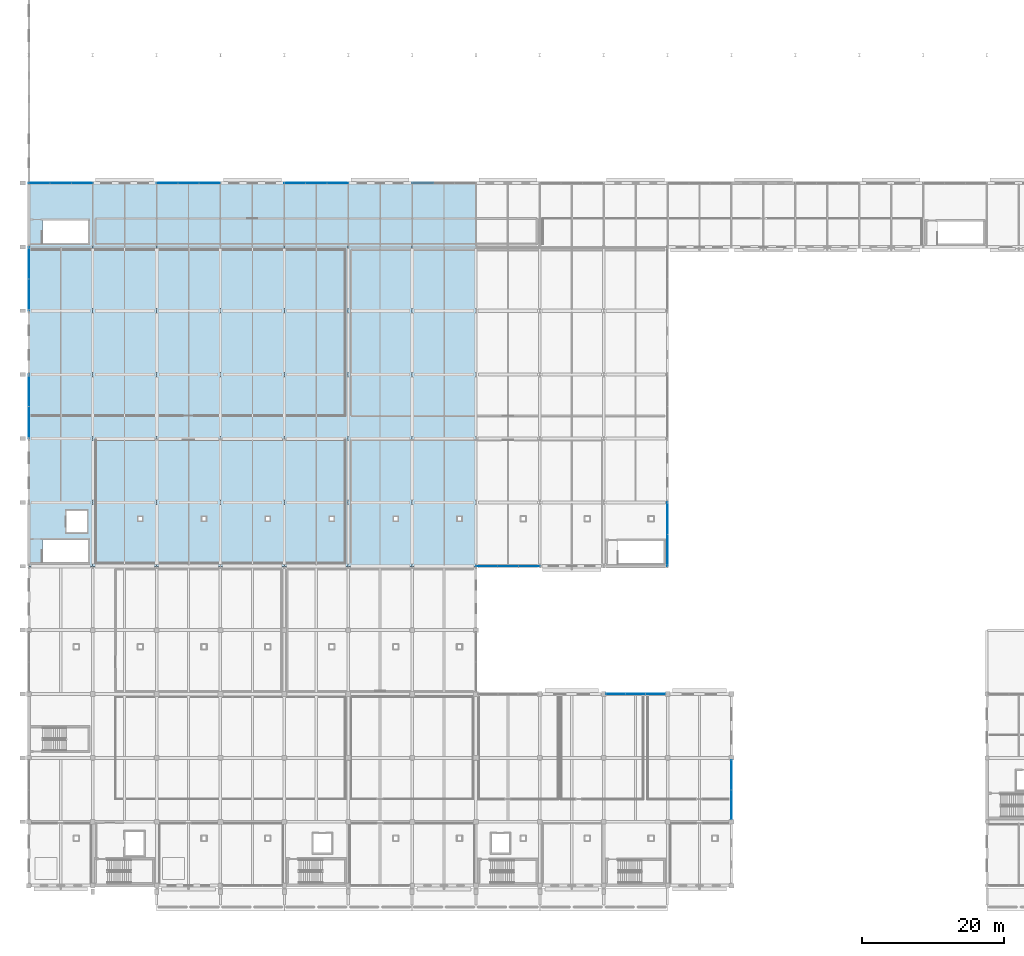
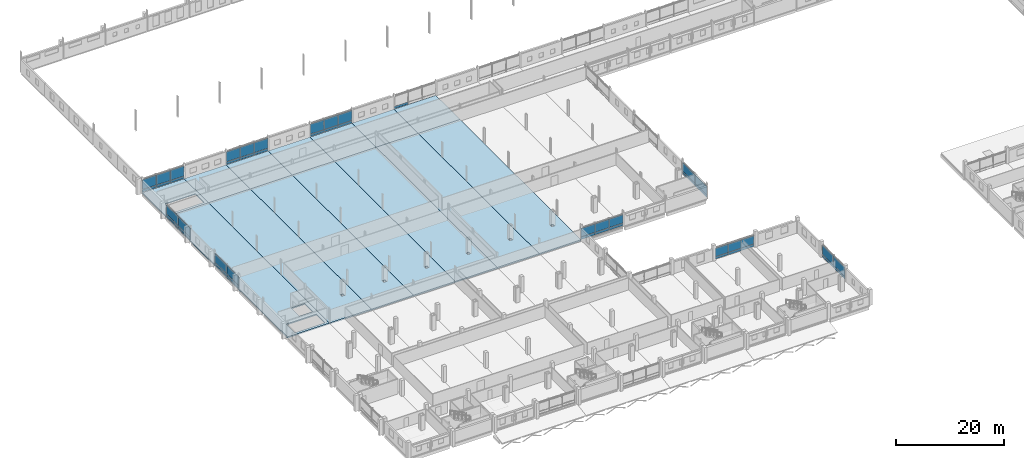
# One storey, part 93 of 132: 47 plates, 14 slabs, 10 elements without a shape of their own.
"""IFC4 building model written with IfcOpenShell, lengths in metres."""

from ifc_helpers import new_model, si_unit, direction, frame, origin, origin_2d, place, context, subcontext, project, spatial, polyline, rectangle, outline, extrude, material, layer, layer_set, type_object, element, aggregate, save


model = new_model("IFC4")

# Units and contexts
model_context = context("Model", 3, precision=1e-05, world=origin(), true_north=direction((0.0, 1.0)))
body_context = subcontext(model_context, "Body", "Model", "MODEL_VIEW")
ifc_project = project(units=[si_unit("LENGTHUNIT", "METRE"), si_unit("AREAUNIT", "SQUARE_METRE"), si_unit("VOLUMEUNIT", "CUBIC_METRE"), si_unit("PLANEANGLEUNIT", "RADIAN"), si_unit("MASSUNIT", "GRAM", prefix="KILO")], contexts=[model_context])

# Site, building, storey
site_placement = place(None, origin())
site = spatial("IfcSite", under=ifc_project, at=site_placement, CompositionType="ELEMENT")
building_placement = place(site_placement, origin())
building = spatial("IfcBuilding", under=site, at=building_placement, Name="Tharagai Park Tramway Depot", CompositionType="ELEMENT")
storey_placement = place(building_placement, frame((0.0, 0.0, 4.800048828125)))
storey = spatial("IfcBuildingStorey", under=building, at=storey_placement, Name="L01", CompositionType="ELEMENT", Elevation=4.800048828125)

# Curtain wall, plates
ifc_material_1 = material(Name="Anodised aluminium", Category="aluminium")
curtain_wall_type_1 = type_object("IfcCurtainWallType", Name="CW-01", PredefinedType="NOTDEFINED", material=ifc_material_1)
curtain_wall_1_placement = place(storey_placement, origin())
curtain_wall_1 = element("IfcCurtainWall", 1, at=curtain_wall_1_placement, inside=storey, type_object=curtain_wall_type_1, Name="L01 V4 Gothic Mullioned Curtain Wall CW-01", PredefinedType="NOTDEFINED")
ifc_layer_1 = layer(ifc_material_1, 0.0400390625)
ifc_layer_set_1 = layer_set([ifc_layer_1], Name="Anodised aluminium")
plate_type_1 = type_object("IfcPlateType", Name="CP-01", PredefinedType="CURTAIN_PANEL", material=ifc_layer_set_1)
plate_1_placement = place(storey_placement, frame((82.7099609375, 27.0, 0.080078125), z_axis=(0.0, 0.0, 1.0), x_axis=(1.0, 0.0, 0.0)))
plate_1 = element("IfcPlate", 2, at=plate_1_placement, type_object=plate_type_1, Name="L01 V4 Gothic Mullioned Curtain Wall Spandrel Panel 1.1", PredefinedType="CURTAIN_PANEL", context=body_context, shape_type="SweptSolid", body=[
    extrude(rectangle(XDim=2.77001953125, YDim=0.0400390625, at=origin_2d()), origin(), (0.0, 0.0, 1.0), 0.550048828125),
])
plate_2_placement = place(storey_placement, frame((85.5, 27.0, 0.080078125), z_axis=(0.0, 0.0, 1.0), x_axis=(1.0, 0.0, 0.0)))
plate_2 = element("IfcPlate", 3, at=plate_2_placement, type_object=plate_type_1, Name="L01 V4 Gothic Mullioned Curtain Wall Spandrel Panel 2.1", PredefinedType="CURTAIN_PANEL", context=body_context, shape_type="SweptSolid", body=[
    extrude(rectangle(XDim=2.77001953125, YDim=0.0400390625, at=origin_2d()), origin(), (0.0, 0.0, 1.0), 0.550048828125),
])
plate_3_placement = place(storey_placement, frame((88.2900390625, 27.0, 0.080078125), z_axis=(0.0, 0.0, 1.0), x_axis=(1.0, 0.0, 0.0)))
plate_3 = element("IfcPlate", 4, at=plate_3_placement, type_object=plate_type_1, Name="L01 V4 Gothic Mullioned Curtain Wall Spandrel Panel 3.1", PredefinedType="CURTAIN_PANEL", context=body_context, shape_type="SweptSolid", body=[
    extrude(rectangle(XDim=2.77001953125, YDim=0.0400390625, at=origin_2d()), origin(), (0.0, 0.0, 1.0), 0.550048828125),
])

curtain_wall_2_placement = place(storey_placement, origin())
curtain_wall_2 = element("IfcCurtainWall", 5, at=curtain_wall_2_placement, inside=storey, type_object=curtain_wall_type_1, Name="L01 V2 Gothic Mullioned Curtain Wall CW-01", PredefinedType="NOTDEFINED")
plate_4_placement = place(storey_placement, frame((64.497314453125, 45.0, 0.080078125), z_axis=(0.0, 0.0, 1.0), x_axis=(1.0, 0.0, 0.0)))
plate_4 = element("IfcPlate", 6, at=plate_4_placement, type_object=plate_type_1, Name="L01 V2 Gothic Mullioned Curtain Wall Spandrel Panel 1.1", PredefinedType="CURTAIN_PANEL", context=body_context, shape_type="SweptSolid", body=[
    extrude(rectangle(XDim=2.982666015625, YDim=0.0400390625, at=origin_2d()), origin(), (0.0, 0.0, 1.0), 0.550048828125),
])
plate_5_placement = place(storey_placement, frame((67.5, 45.0, 0.080078125), z_axis=(0.0, 0.0, 1.0), x_axis=(1.0, 0.0, 0.0)))
plate_5 = element("IfcPlate", 7, at=plate_5_placement, type_object=plate_type_1, Name="L01 V2 Gothic Mullioned Curtain Wall Spandrel Panel 2.1", PredefinedType="CURTAIN_PANEL", context=body_context, shape_type="SweptSolid", body=[
    extrude(rectangle(XDim=2.982666015625, YDim=0.0400390625, at=origin_2d()), origin(), (0.0, 0.0, 1.0), 0.550048828125),
])
plate_6_placement = place(storey_placement, frame((70.502685546875, 45.0, 0.080078125), z_axis=(0.0, 0.0, 1.0), x_axis=(1.0, 0.0, 0.0)))
plate_6 = element("IfcPlate", 8, at=plate_6_placement, type_object=plate_type_1, Name="L01 V2 Gothic Mullioned Curtain Wall Spandrel Panel 3.1", PredefinedType="CURTAIN_PANEL", context=body_context, shape_type="SweptSolid", body=[
    extrude(rectangle(XDim=2.982666015625, YDim=0.0400390625, at=origin_2d()), origin(), (0.0, 0.0, 1.0), 0.550048828125),
])

curtain_wall_3_placement = place(storey_placement, origin())
curtain_wall_3 = element("IfcCurtainWall", 9, at=curtain_wall_3_placement, inside=storey, type_object=curtain_wall_type_1, Name="L01 V1 Gothic Mullioned Curtain Wall CW-01", PredefinedType="NOTDEFINED")
plate_7_placement = place(storey_placement, frame((1.497314453125, 99.0, 0.080078125), z_axis=(0.0, 0.0, 1.0), x_axis=(1.0, 0.0, 0.0)))
plate_7 = element("IfcPlate", 10, at=plate_7_placement, type_object=plate_type_1, Name="L01 V1 Gothic Mullioned Curtain Wall Spandrel Panel 1.1", PredefinedType="CURTAIN_PANEL", context=body_context, shape_type="SweptSolid", body=[
    extrude(rectangle(XDim=2.982666015625, YDim=0.0400390625, at=origin_2d()), origin(), (0.0, 0.0, 1.0), 0.550048828125),
])
plate_8_placement = place(storey_placement, frame((4.5, 99.0, 0.080078125), z_axis=(0.0, 0.0, 1.0), x_axis=(1.0, 0.0, 0.0)))
plate_8 = element("IfcPlate", 11, at=plate_8_placement, type_object=plate_type_1, Name="L01 V1 Gothic Mullioned Curtain Wall Spandrel Panel 2.1", PredefinedType="CURTAIN_PANEL", context=body_context, shape_type="SweptSolid", body=[
    extrude(rectangle(XDim=2.982666015625, YDim=0.0400390625, at=origin_2d()), origin(), (0.0, 0.0, 1.0), 0.550048828125),
])
plate_9_placement = place(storey_placement, frame((7.502685546875, 99.0, 0.080078125), z_axis=(0.0, 0.0, 1.0), x_axis=(1.0, 0.0, 0.0)))
plate_9 = element("IfcPlate", 12, at=plate_9_placement, type_object=plate_type_1, Name="L01 V1 Gothic Mullioned Curtain Wall Spandrel Panel 3.1", PredefinedType="CURTAIN_PANEL", context=body_context, shape_type="SweptSolid", body=[
    extrude(rectangle(XDim=2.982666015625, YDim=0.0400390625, at=origin_2d()), origin(), (0.0, 0.0, 1.0), 0.550048828125),
])

curtain_wall_4_placement = place(storey_placement, origin())
curtain_wall_4 = element("IfcCurtainWall", 13, at=curtain_wall_4_placement, inside=storey, type_object=curtain_wall_type_1, Name="L01 V1 Gothic Mullioned Curtain Wall CW-01", PredefinedType="NOTDEFINED")
plate_10_placement = place(storey_placement, frame((19.497314453125, 99.0, 0.080078125), z_axis=(0.0, 0.0, 1.0), x_axis=(1.0, 0.0, 0.0)))
plate_10 = element("IfcPlate", 14, at=plate_10_placement, type_object=plate_type_1, Name="L01 V1 Gothic Mullioned Curtain Wall Spandrel Panel 1.1", PredefinedType="CURTAIN_PANEL", context=body_context, shape_type="SweptSolid", body=[
    extrude(rectangle(XDim=2.982666015625, YDim=0.0400390625, at=origin_2d()), origin(), (0.0, 0.0, 1.0), 0.550048828125),
])
plate_11_placement = place(storey_placement, frame((22.5, 99.0, 0.080078125), z_axis=(0.0, 0.0, 1.0), x_axis=(1.0, 0.0, 0.0)))
plate_11 = element("IfcPlate", 15, at=plate_11_placement, type_object=plate_type_1, Name="L01 V1 Gothic Mullioned Curtain Wall Spandrel Panel 2.1", PredefinedType="CURTAIN_PANEL", context=body_context, shape_type="SweptSolid", body=[
    extrude(rectangle(XDim=2.982666015625, YDim=0.0400390625, at=origin_2d()), origin(), (0.0, 0.0, 1.0), 0.550048828125),
])
plate_12_placement = place(storey_placement, frame((25.502685546875, 99.0, 0.080078125), z_axis=(0.0, 0.0, 1.0), x_axis=(1.0, 0.0, 0.0)))
plate_12 = element("IfcPlate", 16, at=plate_12_placement, type_object=plate_type_1, Name="L01 V1 Gothic Mullioned Curtain Wall Spandrel Panel 3.1", PredefinedType="CURTAIN_PANEL", context=body_context, shape_type="SweptSolid", body=[
    extrude(rectangle(XDim=2.982666015625, YDim=0.0400390625, at=origin_2d()), origin(), (0.0, 0.0, 1.0), 0.550048828125),
])

curtain_wall_5_placement = place(storey_placement, origin())
curtain_wall_5 = element("IfcCurtainWall", 17, at=curtain_wall_5_placement, inside=storey, type_object=curtain_wall_type_1, Name="L01 V1 Gothic Mullioned Curtain Wall CW-01", PredefinedType="NOTDEFINED")
plate_13_placement = place(storey_placement, frame((37.497314453125, 99.0, 0.080078125), z_axis=(0.0, 0.0, 1.0), x_axis=(1.0, 0.0, 0.0)))
plate_13 = element("IfcPlate", 18, at=plate_13_placement, type_object=plate_type_1, Name="L01 V1 Gothic Mullioned Curtain Wall Spandrel Panel 1.1", PredefinedType="CURTAIN_PANEL", context=body_context, shape_type="SweptSolid", body=[
    extrude(rectangle(XDim=2.982666015625, YDim=0.0400390625, at=origin_2d()), origin(), (0.0, 0.0, 1.0), 0.550048828125),
])
plate_14_placement = place(storey_placement, frame((40.5, 99.0, 0.080078125), z_axis=(0.0, 0.0, 1.0), x_axis=(1.0, 0.0, 0.0)))
plate_14 = element("IfcPlate", 19, at=plate_14_placement, type_object=plate_type_1, Name="L01 V1 Gothic Mullioned Curtain Wall Spandrel Panel 2.1", PredefinedType="CURTAIN_PANEL", context=body_context, shape_type="SweptSolid", body=[
    extrude(rectangle(XDim=2.982666015625, YDim=0.0400390625, at=origin_2d()), origin(), (0.0, 0.0, 1.0), 0.550048828125),
])
plate_15_placement = place(storey_placement, frame((43.502685546875, 99.0, 0.080078125), z_axis=(0.0, 0.0, 1.0), x_axis=(1.0, 0.0, 0.0)))
plate_15 = element("IfcPlate", 20, at=plate_15_placement, type_object=plate_type_1, Name="L01 V1 Gothic Mullioned Curtain Wall Spandrel Panel 3.1", PredefinedType="CURTAIN_PANEL", context=body_context, shape_type="SweptSolid", body=[
    extrude(rectangle(XDim=2.982666015625, YDim=0.0400390625, at=origin_2d()), origin(), (0.0, 0.0, 1.0), 0.550048828125),
])

# Curtain wall, plate
curtain_wall_6_placement = place(storey_placement, origin())
curtain_wall_6 = element("IfcCurtainWall", 21, at=curtain_wall_6_placement, inside=storey, type_object=curtain_wall_type_1, Name="L01 V1 Gothic Mullioned Curtain Wall CW-01", PredefinedType="NOTDEFINED")
plate_16_placement = place(storey_placement, frame((55.497314453125, 99.0, 0.080078125), z_axis=(0.0, 0.0, 1.0), x_axis=(1.0, 0.0, 0.0)))
plate_16 = element("IfcPlate", 22, at=plate_16_placement, type_object=plate_type_1, Name="L01 V1 Gothic Mullioned Curtain Wall Spandrel Panel 1.1", PredefinedType="CURTAIN_PANEL", context=body_context, shape_type="SweptSolid", body=[
    extrude(rectangle(XDim=2.982666015625, YDim=0.0400390625, at=origin_2d()), origin(), (0.0, 0.0, 1.0), 0.550048828125),
])
aggregate(curtain_wall_6, [plate_16])

# Curtain wall, plates
curtain_wall_type_2 = type_object("IfcCurtainWallType", Name="CW-07", PredefinedType="NOTDEFINED", material=ifc_material_1)
curtain_wall_7_placement = place(storey_placement, origin())
curtain_wall_7 = element("IfcCurtainWall", 23, at=curtain_wall_7_placement, inside=storey, type_object=curtain_wall_type_2, Name="L01 V2 Side Mullioned Curtain Wall CW-07", PredefinedType="NOTDEFINED")
plate_17_placement = place(storey_placement, frame((0.0, 65.248046875, 0.080078125), z_axis=(0.0, 0.0, 1.0), x_axis=(0.0, 1.0, 0.0)))
plate_17 = element("IfcPlate", 24, at=plate_17_placement, type_object=plate_type_1, Name="L01 V2 Side Mullioned Curtain Wall Spandrel Panel 1.1", PredefinedType="CURTAIN_PANEL", context=body_context, shape_type="SweptSolid", body=[
    extrude(rectangle(XDim=4.48388671875, YDim=0.0400390625, at=origin_2d()), origin(), (0.0, 0.0, 1.0), 0.550048828125),
])
plate_18_placement = place(storey_placement, frame((0.0, 69.751953125, 0.080078125), z_axis=(0.0, 0.0, 1.0), x_axis=(0.0, 1.0, 0.0)))
plate_18 = element("IfcPlate", 25, at=plate_18_placement, type_object=plate_type_1, Name="L01 V2 Side Mullioned Curtain Wall Spandrel Panel 2.1", PredefinedType="CURTAIN_PANEL", context=body_context, shape_type="SweptSolid", body=[
    extrude(rectangle(XDim=4.48388671875, YDim=0.0400390625, at=origin_2d()), origin(), (0.0, 0.0, 1.0), 0.550048828125),
])

curtain_wall_8_placement = place(storey_placement, origin())
curtain_wall_8 = element("IfcCurtainWall", 26, at=curtain_wall_8_placement, inside=storey, type_object=curtain_wall_type_2, Name="L01 V2 Side Mullioned Curtain Wall CW-07", PredefinedType="NOTDEFINED")
plate_19_placement = place(storey_placement, frame((0.0, 83.248046875, 0.080078125), z_axis=(0.0, 0.0, 1.0), x_axis=(0.0, 1.0, 0.0)))
plate_19 = element("IfcPlate", 27, at=plate_19_placement, type_object=plate_type_1, Name="L01 V2 Side Mullioned Curtain Wall Spandrel Panel 1.1", PredefinedType="CURTAIN_PANEL", context=body_context, shape_type="SweptSolid", body=[
    extrude(rectangle(XDim=4.48388671875, YDim=0.0400390625, at=origin_2d()), origin(), (0.0, 0.0, 1.0), 0.550048828125),
])
plate_20_placement = place(storey_placement, frame((0.0, 87.751953125, 0.080078125), z_axis=(0.0, 0.0, 1.0), x_axis=(0.0, 1.0, 0.0)))
plate_20 = element("IfcPlate", 28, at=plate_20_placement, type_object=plate_type_1, Name="L01 V2 Side Mullioned Curtain Wall Spandrel Panel 2.1", PredefinedType="CURTAIN_PANEL", context=body_context, shape_type="SweptSolid", body=[
    extrude(rectangle(XDim=4.48388671875, YDim=0.0400390625, at=origin_2d()), origin(), (0.0, 0.0, 1.0), 0.550048828125),
])

curtain_wall_9_placement = place(storey_placement, origin())
curtain_wall_9 = element("IfcCurtainWall", 29, at=curtain_wall_9_placement, inside=storey, type_object=curtain_wall_type_2, Name="L01 V2 Side Mullioned Curtain Wall CW-07", PredefinedType="NOTDEFINED")
plate_21_placement = place(storey_placement, frame((90.0, 47.248046875, 0.080078125), z_axis=(0.0, 0.0, 1.0), x_axis=(0.0, 1.0, 0.0)))
plate_21 = element("IfcPlate", 30, at=plate_21_placement, type_object=plate_type_1, Name="L01 V2 Side Mullioned Curtain Wall Spandrel Panel 1.1", PredefinedType="CURTAIN_PANEL", context=body_context, shape_type="SweptSolid", body=[
    extrude(rectangle(XDim=4.48388671875, YDim=0.0400390625, at=origin_2d()), origin(), (0.0, 0.0, 1.0), 0.550048828125),
])
plate_22_placement = place(storey_placement, frame((90.0, 51.751953125, 0.080078125), z_axis=(0.0, 0.0, 1.0), x_axis=(0.0, 1.0, 0.0)))
plate_22 = element("IfcPlate", 31, at=plate_22_placement, type_object=plate_type_1, Name="L01 V2 Side Mullioned Curtain Wall Spandrel Panel 2.1", PredefinedType="CURTAIN_PANEL", context=body_context, shape_type="SweptSolid", body=[
    extrude(rectangle(XDim=4.48388671875, YDim=0.0400390625, at=origin_2d()), origin(), (0.0, 0.0, 1.0), 0.550048828125),
])

curtain_wall_10_placement = place(storey_placement, origin())
curtain_wall_10 = element("IfcCurtainWall", 32, at=curtain_wall_10_placement, inside=storey, type_object=curtain_wall_type_2, Name="L01 V4 Side Mullioned Curtain Wall CW-07", PredefinedType="NOTDEFINED")
plate_23_placement = place(storey_placement, frame((99.0, 11.407470703125, 0.080078125), z_axis=(0.0, 0.0, 1.0), x_axis=(0.0, 1.0, 0.0)))
plate_23 = element("IfcPlate", 33, at=plate_23_placement, type_object=plate_type_1, Name="L01 V4 Side Mullioned Curtain Wall Spandrel Panel 1.1", PredefinedType="CURTAIN_PANEL", context=body_context, shape_type="SweptSolid", body=[
    extrude(rectangle(XDim=4.1650390625, YDim=0.0400390625, at=origin_2d()), origin(), (0.0, 0.0, 1.0), 0.550048828125),
])
plate_24_placement = place(storey_placement, frame((99.0, 15.592529296875, 0.080078125), z_axis=(0.0, 0.0, 1.0), x_axis=(0.0, 1.0, 0.0)))
plate_24 = element("IfcPlate", 34, at=plate_24_placement, type_object=plate_type_1, Name="L01 V4 Side Mullioned Curtain Wall Spandrel Panel 2.1", PredefinedType="CURTAIN_PANEL", context=body_context, shape_type="SweptSolid", body=[
    extrude(rectangle(XDim=4.1650390625, YDim=0.0400390625, at=origin_2d()), origin(), (0.0, 0.0, 1.0), 0.550048828125),
])

# Plate
ifc_material_2 = material(Name="Laminated solar-control glass", Category="glass")
ifc_layer_2 = layer(ifc_material_2, 0.028076171875)
ifc_layer_set_2 = layer_set([ifc_layer_2], Name="Laminated solar-control glass")
plate_type_2 = type_object("IfcPlateType", Name="CP-02", PredefinedType="CURTAIN_PANEL", material=ifc_layer_set_2)
plate_25_placement = place(storey_placement, frame((82.7099609375, 27.0, 0.669921875), z_axis=(0.0, 0.0, 1.0), x_axis=(1.0, 0.0, 0.0)))
plate_25 = element("IfcPlate", 35, at=plate_25_placement, type_object=plate_type_2, Name="L01 V4 Gothic Mullioned Curtain Wall Glazed Panel 1.2", PredefinedType="CURTAIN_PANEL", context=body_context, shape_type="SweptSolid", body=[
    extrude(rectangle(XDim=2.77001953125, YDim=0.028076171875, at=origin_2d()), origin(), (0.0, 0.0, 1.0), 1.8798828125),
])

plate_26_placement = place(storey_placement, frame((85.5, 27.0, 0.669921875), z_axis=(0.0, 0.0, 1.0), x_axis=(1.0, 0.0, 0.0)))
plate_26 = element("IfcPlate", 36, at=plate_26_placement, type_object=plate_type_2, Name="L01 V4 Gothic Mullioned Curtain Wall Glazed Panel 2.2", PredefinedType="CURTAIN_PANEL", context=body_context, shape_type="SweptSolid", body=[
    extrude(rectangle(XDim=2.77001953125, YDim=0.028076171875, at=origin_2d()), origin(), (0.0, 0.0, 1.0), 1.8798828125),
])

plate_27_placement = place(storey_placement, frame((88.2900390625, 27.0, 0.669921875), z_axis=(0.0, 0.0, 1.0), x_axis=(1.0, 0.0, 0.0)))
plate_27 = element("IfcPlate", 37, at=plate_27_placement, type_object=plate_type_2, Name="L01 V4 Gothic Mullioned Curtain Wall Glazed Panel 3.2", PredefinedType="CURTAIN_PANEL", context=body_context, shape_type="SweptSolid", body=[
    extrude(rectangle(XDim=2.77001953125, YDim=0.028076171875, at=origin_2d()), origin(), (0.0, 0.0, 1.0), 1.8798828125),
])

aggregate(curtain_wall_1, [plate_1, plate_25, plate_2, plate_26, plate_3, plate_27])

plate_28_placement = place(storey_placement, frame((64.497314453125, 45.0, 0.669921875), z_axis=(0.0, 0.0, 1.0), x_axis=(1.0, 0.0, 0.0)))
plate_28 = element("IfcPlate", 38, at=plate_28_placement, type_object=plate_type_2, Name="L01 V2 Gothic Mullioned Curtain Wall Glazed Panel 1.2", PredefinedType="CURTAIN_PANEL", context=body_context, shape_type="SweptSolid", body=[
    extrude(rectangle(XDim=2.982666015625, YDim=0.028076171875, at=origin_2d()), origin(), (0.0, 0.0, 1.0), 1.93994140625),
])

plate_29_placement = place(storey_placement, frame((67.5, 45.0, 0.669921875), z_axis=(0.0, 0.0, 1.0), x_axis=(1.0, 0.0, 0.0)))
plate_29 = element("IfcPlate", 39, at=plate_29_placement, type_object=plate_type_2, Name="L01 V2 Gothic Mullioned Curtain Wall Glazed Panel 2.2", PredefinedType="CURTAIN_PANEL", context=body_context, shape_type="SweptSolid", body=[
    extrude(rectangle(XDim=2.982666015625, YDim=0.028076171875, at=origin_2d()), origin(), (0.0, 0.0, 1.0), 1.93994140625),
])

plate_30_placement = place(storey_placement, frame((70.502685546875, 45.0, 0.669921875), z_axis=(0.0, 0.0, 1.0), x_axis=(1.0, 0.0, 0.0)))
plate_30 = element("IfcPlate", 40, at=plate_30_placement, type_object=plate_type_2, Name="L01 V2 Gothic Mullioned Curtain Wall Glazed Panel 3.2", PredefinedType="CURTAIN_PANEL", context=body_context, shape_type="SweptSolid", body=[
    extrude(rectangle(XDim=2.982666015625, YDim=0.028076171875, at=origin_2d()), origin(), (0.0, 0.0, 1.0), 1.93994140625),
])

aggregate(curtain_wall_2, [plate_4, plate_28, plate_5, plate_29, plate_6, plate_30])

plate_31_placement = place(storey_placement, frame((1.497314453125, 99.0, 0.669921875), z_axis=(0.0, 0.0, 1.0), x_axis=(1.0, 0.0, 0.0)))
plate_31 = element("IfcPlate", 41, at=plate_31_placement, type_object=plate_type_2, Name="L01 V1 Gothic Mullioned Curtain Wall Glazed Panel 1.2", PredefinedType="CURTAIN_PANEL", context=body_context, shape_type="SweptSolid", body=[
    extrude(rectangle(XDim=2.982666015625, YDim=0.028076171875, at=origin_2d()), origin(), (0.0, 0.0, 1.0), 2.280029296875),
])

plate_32_placement = place(storey_placement, frame((4.5, 99.0, 0.669921875), z_axis=(0.0, 0.0, 1.0), x_axis=(1.0, 0.0, 0.0)))
plate_32 = element("IfcPlate", 42, at=plate_32_placement, type_object=plate_type_2, Name="L01 V1 Gothic Mullioned Curtain Wall Glazed Panel 2.2", PredefinedType="CURTAIN_PANEL", context=body_context, shape_type="SweptSolid", body=[
    extrude(rectangle(XDim=2.982666015625, YDim=0.028076171875, at=origin_2d()), origin(), (0.0, 0.0, 1.0), 2.280029296875),
])

plate_33_placement = place(storey_placement, frame((7.502685546875, 99.0, 0.669921875), z_axis=(0.0, 0.0, 1.0), x_axis=(1.0, 0.0, 0.0)))
plate_33 = element("IfcPlate", 43, at=plate_33_placement, type_object=plate_type_2, Name="L01 V1 Gothic Mullioned Curtain Wall Glazed Panel 3.2", PredefinedType="CURTAIN_PANEL", context=body_context, shape_type="SweptSolid", body=[
    extrude(rectangle(XDim=2.982666015625, YDim=0.028076171875, at=origin_2d()), origin(), (0.0, 0.0, 1.0), 2.280029296875),
])

aggregate(curtain_wall_3, [plate_7, plate_31, plate_8, plate_32, plate_9, plate_33])

plate_34_placement = place(storey_placement, frame((19.497314453125, 99.0, 0.669921875), z_axis=(0.0, 0.0, 1.0), x_axis=(1.0, 0.0, 0.0)))
plate_34 = element("IfcPlate", 44, at=plate_34_placement, type_object=plate_type_2, Name="L01 V1 Gothic Mullioned Curtain Wall Glazed Panel 1.2", PredefinedType="CURTAIN_PANEL", context=body_context, shape_type="SweptSolid", body=[
    extrude(rectangle(XDim=2.982666015625, YDim=0.028076171875, at=origin_2d()), origin(), (0.0, 0.0, 1.0), 2.280029296875),
])

plate_35_placement = place(storey_placement, frame((22.5, 99.0, 0.669921875), z_axis=(0.0, 0.0, 1.0), x_axis=(1.0, 0.0, 0.0)))
plate_35 = element("IfcPlate", 45, at=plate_35_placement, type_object=plate_type_2, Name="L01 V1 Gothic Mullioned Curtain Wall Glazed Panel 2.2", PredefinedType="CURTAIN_PANEL", context=body_context, shape_type="SweptSolid", body=[
    extrude(rectangle(XDim=2.982666015625, YDim=0.028076171875, at=origin_2d()), origin(), (0.0, 0.0, 1.0), 2.280029296875),
])

plate_36_placement = place(storey_placement, frame((25.502685546875, 99.0, 0.669921875), z_axis=(0.0, 0.0, 1.0), x_axis=(1.0, 0.0, 0.0)))
plate_36 = element("IfcPlate", 46, at=plate_36_placement, type_object=plate_type_2, Name="L01 V1 Gothic Mullioned Curtain Wall Glazed Panel 3.2", PredefinedType="CURTAIN_PANEL", context=body_context, shape_type="SweptSolid", body=[
    extrude(rectangle(XDim=2.982666015625, YDim=0.028076171875, at=origin_2d()), origin(), (0.0, 0.0, 1.0), 2.280029296875),
])

aggregate(curtain_wall_4, [plate_10, plate_34, plate_11, plate_35, plate_12, plate_36])

plate_37_placement = place(storey_placement, frame((37.497314453125, 99.0, 0.669921875), z_axis=(0.0, 0.0, 1.0), x_axis=(1.0, 0.0, 0.0)))
plate_37 = element("IfcPlate", 47, at=plate_37_placement, type_object=plate_type_2, Name="L01 V1 Gothic Mullioned Curtain Wall Glazed Panel 1.2", PredefinedType="CURTAIN_PANEL", context=body_context, shape_type="SweptSolid", body=[
    extrude(rectangle(XDim=2.982666015625, YDim=0.028076171875, at=origin_2d()), origin(), (0.0, 0.0, 1.0), 2.280029296875),
])

plate_38_placement = place(storey_placement, frame((40.5, 99.0, 0.669921875), z_axis=(0.0, 0.0, 1.0), x_axis=(1.0, 0.0, 0.0)))
plate_38 = element("IfcPlate", 48, at=plate_38_placement, type_object=plate_type_2, Name="L01 V1 Gothic Mullioned Curtain Wall Glazed Panel 2.2", PredefinedType="CURTAIN_PANEL", context=body_context, shape_type="SweptSolid", body=[
    extrude(rectangle(XDim=2.982666015625, YDim=0.028076171875, at=origin_2d()), origin(), (0.0, 0.0, 1.0), 2.280029296875),
])

plate_39_placement = place(storey_placement, frame((43.502685546875, 99.0, 0.669921875), z_axis=(0.0, 0.0, 1.0), x_axis=(1.0, 0.0, 0.0)))
plate_39 = element("IfcPlate", 49, at=plate_39_placement, type_object=plate_type_2, Name="L01 V1 Gothic Mullioned Curtain Wall Glazed Panel 3.2", PredefinedType="CURTAIN_PANEL", context=body_context, shape_type="SweptSolid", body=[
    extrude(rectangle(XDim=2.982666015625, YDim=0.028076171875, at=origin_2d()), origin(), (0.0, 0.0, 1.0), 2.280029296875),
])

aggregate(curtain_wall_5, [plate_13, plate_37, plate_14, plate_38, plate_15, plate_39])

plate_40_placement = place(storey_placement, frame((0.0, 65.248046875, 0.669921875), z_axis=(0.0, 0.0, 1.0), x_axis=(0.0, 1.0, 0.0)))
plate_40 = element("IfcPlate", 50, at=plate_40_placement, type_object=plate_type_2, Name="L01 V2 Side Mullioned Curtain Wall Glazed Panel 1.2", PredefinedType="CURTAIN_PANEL", context=body_context, shape_type="SweptSolid", body=[
    extrude(rectangle(XDim=4.48388671875, YDim=0.028076171875, at=origin_2d()), origin(), (0.0, 0.0, 1.0), 1.97998046875),
])

plate_41_placement = place(storey_placement, frame((0.0, 69.751953125, 0.669921875), z_axis=(0.0, 0.0, 1.0), x_axis=(0.0, 1.0, 0.0)))
plate_41 = element("IfcPlate", 51, at=plate_41_placement, type_object=plate_type_2, Name="L01 V2 Side Mullioned Curtain Wall Glazed Panel 2.2", PredefinedType="CURTAIN_PANEL", context=body_context, shape_type="SweptSolid", body=[
    extrude(rectangle(XDim=4.48388671875, YDim=0.028076171875, at=origin_2d()), origin(), (0.0, 0.0, 1.0), 1.97998046875),
])

aggregate(curtain_wall_7, [plate_17, plate_40, plate_18, plate_41])

plate_42_placement = place(storey_placement, frame((0.0, 83.248046875, 0.669921875), z_axis=(0.0, 0.0, 1.0), x_axis=(0.0, 1.0, 0.0)))
plate_42 = element("IfcPlate", 52, at=plate_42_placement, type_object=plate_type_2, Name="L01 V2 Side Mullioned Curtain Wall Glazed Panel 1.2", PredefinedType="CURTAIN_PANEL", context=body_context, shape_type="SweptSolid", body=[
    extrude(rectangle(XDim=4.48388671875, YDim=0.028076171875, at=origin_2d()), origin(), (0.0, 0.0, 1.0), 2.080078125),
])

plate_43_placement = place(storey_placement, frame((0.0, 87.751953125, 0.669921875), z_axis=(0.0, 0.0, 1.0), x_axis=(0.0, 1.0, 0.0)))
plate_43 = element("IfcPlate", 53, at=plate_43_placement, type_object=plate_type_2, Name="L01 V2 Side Mullioned Curtain Wall Glazed Panel 2.2", PredefinedType="CURTAIN_PANEL", context=body_context, shape_type="SweptSolid", body=[
    extrude(rectangle(XDim=4.48388671875, YDim=0.028076171875, at=origin_2d()), origin(), (0.0, 0.0, 1.0), 2.080078125),
])

aggregate(curtain_wall_8, [plate_19, plate_42, plate_20, plate_43])

plate_44_placement = place(storey_placement, frame((90.0, 47.248046875, 0.669921875), z_axis=(0.0, 0.0, 1.0), x_axis=(0.0, 1.0, 0.0)))
plate_44 = element("IfcPlate", 54, at=plate_44_placement, type_object=plate_type_2, Name="L01 V2 Side Mullioned Curtain Wall Glazed Panel 1.2", PredefinedType="CURTAIN_PANEL", context=body_context, shape_type="SweptSolid", body=[
    extrude(rectangle(XDim=4.48388671875, YDim=0.028076171875, at=origin_2d()), origin(), (0.0, 0.0, 1.0), 1.97998046875),
])

plate_45_placement = place(storey_placement, frame((90.0, 51.751953125, 0.669921875), z_axis=(0.0, 0.0, 1.0), x_axis=(0.0, 1.0, 0.0)))
plate_45 = element("IfcPlate", 55, at=plate_45_placement, type_object=plate_type_2, Name="L01 V2 Side Mullioned Curtain Wall Glazed Panel 2.2", PredefinedType="CURTAIN_PANEL", context=body_context, shape_type="SweptSolid", body=[
    extrude(rectangle(XDim=4.48388671875, YDim=0.028076171875, at=origin_2d()), origin(), (0.0, 0.0, 1.0), 1.97998046875),
])

aggregate(curtain_wall_9, [plate_21, plate_44, plate_22, plate_45])

plate_46_placement = place(storey_placement, frame((99.0, 11.407470703125, 0.669921875), z_axis=(0.0, 0.0, 1.0), x_axis=(0.0, 1.0, 0.0)))
plate_46 = element("IfcPlate", 56, at=plate_46_placement, type_object=plate_type_2, Name="L01 V4 Side Mullioned Curtain Wall Glazed Panel 1.2", PredefinedType="CURTAIN_PANEL", context=body_context, shape_type="SweptSolid", body=[
    extrude(rectangle(XDim=4.1650390625, YDim=0.028076171875, at=origin_2d()), origin(), (0.0, 0.0, 1.0), 2.139892578125),
])

plate_47_placement = place(storey_placement, frame((99.0, 15.592529296875, 0.669921875), z_axis=(0.0, 0.0, 1.0), x_axis=(0.0, 1.0, 0.0)))
plate_47 = element("IfcPlate", 57, at=plate_47_placement, type_object=plate_type_2, Name="L01 V4 Side Mullioned Curtain Wall Glazed Panel 2.2", PredefinedType="CURTAIN_PANEL", context=body_context, shape_type="SweptSolid", body=[
    extrude(rectangle(XDim=4.1650390625, YDim=0.028076171875, at=origin_2d()), origin(), (0.0, 0.0, 1.0), 2.139892578125),
])

aggregate(curtain_wall_10, [plate_23, plate_46, plate_24, plate_47])

# Slabs
ifc_material_3 = material(Name="Concrete M35", Category="concrete")
ifc_layer_3 = layer(ifc_material_3, 0.179931640625)
ifc_layer_set_3 = layer_set([ifc_layer_3], Name="Concrete M35")
slab_type_1 = type_object("IfcSlabType", Name="SB-01", PredefinedType="FLOOR", material=ifc_layer_set_3)
slab_1_placement = place(storey_placement, frame((0.0, 0.0, -0.179931640625)))
element("IfcSlab", 58, at=slab_1_placement, inside=storey, type_object=slab_type_1, Name="L01 V1 Suspended Floor Slab Bay 1", PredefinedType="FLOOR", context=body_context, shape_type="SweptSolid", body=[
    extrude(outline(polyline([(0.0, 90.0), (9.0, 90.0), (9.0, 99.0), (0.0, 99.0), (0.0, 90.0)]), holes=[polyline([(1.919921875, 90.550048828125), (8.360107421875, 90.550048828125), (8.360107421875, 93.739990234375), (1.919921875, 93.739990234375), (1.919921875, 90.550048828125)])]), origin(), (0.0, 0.0, 1.0), 0.179931640625),
])
slab_2_placement = place(storey_placement, frame((0.0, 0.0, -0.179931640625)))
element("IfcSlab", 59, at=slab_2_placement, inside=storey, type_object=slab_type_1, Name="L01 V1 Suspended Floor Slab Bay 2", PredefinedType="FLOOR", context=body_context, shape_type="SweptSolid", body=[
    extrude(outline(polyline([(9.0, 90.0), (18.0, 90.0), (18.0, 99.0), (9.0, 99.0), (9.0, 90.0)])), origin(), (0.0, 0.0, 1.0), 0.179931640625),
])
slab_3_placement = place(storey_placement, frame((0.0, 0.0, -0.179931640625)))
element("IfcSlab", 60, at=slab_3_placement, inside=storey, type_object=slab_type_1, Name="L01 V1 Suspended Floor Slab Bay 3", PredefinedType="FLOOR", context=body_context, shape_type="SweptSolid", body=[
    extrude(outline(polyline([(18.0, 90.0), (27.0, 90.0), (27.0, 99.0), (18.0, 99.0), (18.0, 90.0)])), origin(), (0.0, 0.0, 1.0), 0.179931640625),
])
slab_4_placement = place(storey_placement, frame((0.0, 0.0, -0.179931640625)))
element("IfcSlab", 61, at=slab_4_placement, inside=storey, type_object=slab_type_1, Name="L01 V1 Suspended Floor Slab Bay 4", PredefinedType="FLOOR", context=body_context, shape_type="SweptSolid", body=[
    extrude(outline(polyline([(27.0, 90.0), (36.0, 90.0), (36.0, 99.0), (27.0, 99.0), (27.0, 90.0)])), origin(), (0.0, 0.0, 1.0), 0.179931640625),
])
slab_5_placement = place(storey_placement, frame((0.0, 0.0, -0.179931640625)))
element("IfcSlab", 62, at=slab_5_placement, inside=storey, type_object=slab_type_1, Name="L01 V1 Suspended Floor Slab Bay 5", PredefinedType="FLOOR", context=body_context, shape_type="SweptSolid", body=[
    extrude(outline(polyline([(36.0, 90.0), (45.0, 90.0), (45.0, 99.0), (36.0, 99.0), (36.0, 90.0)])), origin(), (0.0, 0.0, 1.0), 0.179931640625),
])
slab_6_placement = place(storey_placement, frame((0.0, 0.0, -0.179931640625)))
element("IfcSlab", 63, at=slab_6_placement, inside=storey, type_object=slab_type_1, Name="L01 V1 Suspended Floor Slab Bay 6", PredefinedType="FLOOR", context=body_context, shape_type="SweptSolid", body=[
    extrude(outline(polyline([(45.0, 90.0), (54.0, 90.0), (54.0, 99.0), (45.0, 99.0), (45.0, 90.0)])), origin(), (0.0, 0.0, 1.0), 0.179931640625),
])
slab_7_placement = place(storey_placement, frame((0.0, 0.0, -0.179931640625)))
element("IfcSlab", 64, at=slab_7_placement, inside=storey, type_object=slab_type_1, Name="L01 V1 Suspended Floor Slab Bay 7", PredefinedType="FLOOR", context=body_context, shape_type="SweptSolid", body=[
    extrude(outline(polyline([(54.0, 90.0), (63.0, 90.0), (63.0, 99.0), (54.0, 99.0), (54.0, 90.0)])), origin(), (0.0, 0.0, 1.0), 0.179931640625),
])
ifc_layer_4 = layer(ifc_material_3, 0.280029296875)
ifc_layer_set_4 = layer_set([ifc_layer_4], Name="Concrete M35")
slab_type_2 = type_object("IfcSlabType", Name="SB-06", PredefinedType="FLOOR", material=ifc_layer_set_4)
slab_8_placement = place(storey_placement, frame((0.0, 0.0, -0.280029296875)))
element("IfcSlab", 65, at=slab_8_placement, inside=storey, type_object=slab_type_2, Name="L01 V2 Suspended Floor Slab Bay 1", PredefinedType="FLOOR", context=body_context, shape_type="SweptSolid", body=[
    extrude(outline(polyline([(0.0, 45.0), (9.0, 45.0), (9.0, 90.0), (0.0, 90.0), (0.0, 45.0)]), holes=[polyline([(1.919921875, 45.550048828125), (8.360107421875, 45.550048828125), (8.360107421875, 48.739990234375), (1.919921875, 48.739990234375), (1.919921875, 45.550048828125)]), polyline([(5.300048828125, 49.800048828125), (8.199951171875, 49.800048828125), (8.199951171875, 52.800048828125), (5.300048828125, 52.800048828125), (5.300048828125, 49.800048828125)])]), origin(), (0.0, 0.0, 1.0), 0.280029296875),
])
slab_9_placement = place(storey_placement, frame((0.0, 0.0, -0.280029296875)))
element("IfcSlab", 66, at=slab_9_placement, inside=storey, type_object=slab_type_2, Name="L01 V2 Suspended Floor Slab Bay 2", PredefinedType="FLOOR", context=body_context, shape_type="SweptSolid", body=[
    extrude(outline(polyline([(9.0, 45.0), (18.0, 45.0), (18.0, 90.0), (9.0, 90.0), (9.0, 45.0)]), holes=[polyline([(15.39990234375, 51.39990234375), (15.949951171875, 51.39990234375), (15.949951171875, 51.949951171875), (15.39990234375, 51.949951171875), (15.39990234375, 51.39990234375)])]), origin(), (0.0, 0.0, 1.0), 0.280029296875),
])
slab_10_placement = place(storey_placement, frame((0.0, 0.0, -0.280029296875)))
element("IfcSlab", 67, at=slab_10_placement, inside=storey, type_object=slab_type_2, Name="L01 V2 Suspended Floor Slab Bay 3", PredefinedType="FLOOR", context=body_context, shape_type="SweptSolid", body=[
    extrude(outline(polyline([(18.0, 45.0), (27.0, 45.0), (27.0, 90.0), (18.0, 90.0), (18.0, 45.0)]), holes=[polyline([(24.39990234375, 51.39990234375), (24.949951171875, 51.39990234375), (24.949951171875, 51.949951171875), (24.39990234375, 51.949951171875), (24.39990234375, 51.39990234375)])]), origin(), (0.0, 0.0, 1.0), 0.280029296875),
])
slab_11_placement = place(storey_placement, frame((0.0, 0.0, -0.280029296875)))
element("IfcSlab", 68, at=slab_11_placement, inside=storey, type_object=slab_type_2, Name="L01 V2 Suspended Floor Slab Bay 4", PredefinedType="FLOOR", context=body_context, shape_type="SweptSolid", body=[
    extrude(outline(polyline([(27.0, 45.0), (36.0, 45.0), (36.0, 90.0), (27.0, 90.0), (27.0, 45.0)]), holes=[polyline([(33.39990234375, 51.39990234375), (33.949951171875, 51.39990234375), (33.949951171875, 51.949951171875), (33.39990234375, 51.949951171875), (33.39990234375, 51.39990234375)])]), origin(), (0.0, 0.0, 1.0), 0.280029296875),
])
slab_12_placement = place(storey_placement, frame((0.0, 0.0, -0.280029296875)))
element("IfcSlab", 69, at=slab_12_placement, inside=storey, type_object=slab_type_2, Name="L01 V2 Suspended Floor Slab Bay 5", PredefinedType="FLOOR", context=body_context, shape_type="SweptSolid", body=[
    extrude(outline(polyline([(36.0, 45.0), (45.0, 45.0), (45.0, 90.0), (36.0, 90.0), (36.0, 45.0)]), holes=[polyline([(42.39990234375, 51.39990234375), (42.949951171875, 51.39990234375), (42.949951171875, 51.949951171875), (42.39990234375, 51.949951171875), (42.39990234375, 51.39990234375)])]), origin(), (0.0, 0.0, 1.0), 0.280029296875),
])
slab_13_placement = place(storey_placement, frame((0.0, 0.0, -0.280029296875)))
element("IfcSlab", 70, at=slab_13_placement, inside=storey, type_object=slab_type_2, Name="L01 V2 Suspended Floor Slab Bay 6", PredefinedType="FLOOR", context=body_context, shape_type="SweptSolid", body=[
    extrude(outline(polyline([(45.0, 45.0), (54.0, 45.0), (54.0, 90.0), (45.0, 90.0), (45.0, 45.0)]), holes=[polyline([(51.39990234375, 51.39990234375), (51.949951171875, 51.39990234375), (51.949951171875, 51.949951171875), (51.39990234375, 51.949951171875), (51.39990234375, 51.39990234375)])]), origin(), (0.0, 0.0, 1.0), 0.280029296875),
])
slab_14_placement = place(storey_placement, frame((0.0, 0.0, -0.280029296875)))
element("IfcSlab", 71, at=slab_14_placement, inside=storey, type_object=slab_type_2, Name="L01 V2 Suspended Floor Slab Bay 7", PredefinedType="FLOOR", context=body_context, shape_type="SweptSolid", body=[
    extrude(outline(polyline([(54.0, 45.0), (63.0, 45.0), (63.0, 90.0), (54.0, 90.0), (54.0, 45.0)]), holes=[polyline([(60.39990234375, 51.39990234375), (60.949951171875, 51.39990234375), (60.949951171875, 51.949951171875), (60.39990234375, 51.949951171875), (60.39990234375, 51.39990234375)])]), origin(), (0.0, 0.0, 1.0), 0.280029296875),
])

save(model, "model.ifc")
